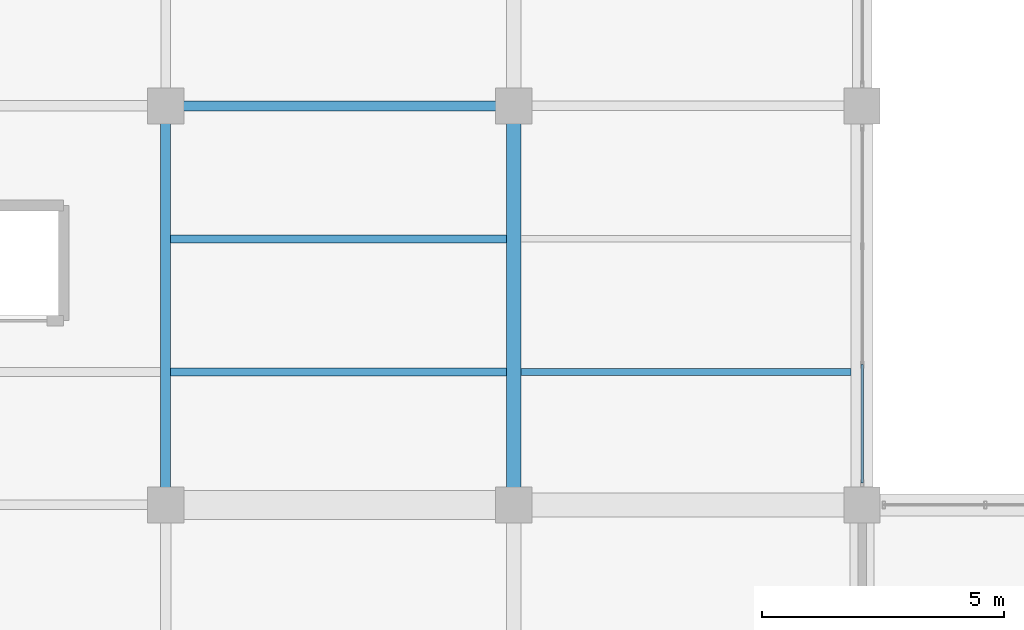
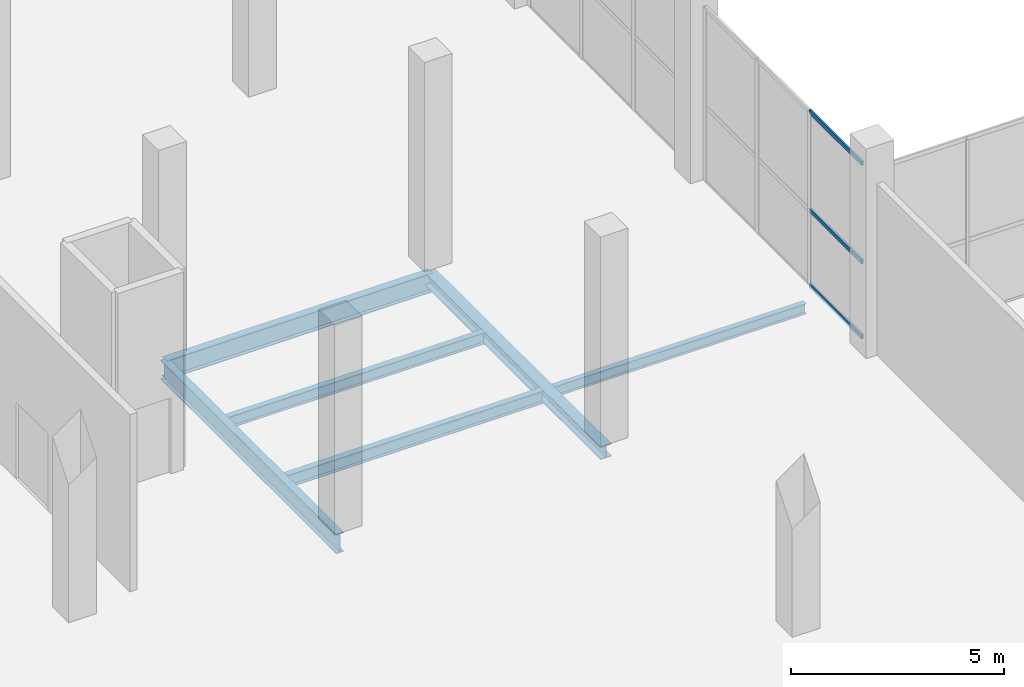
# One storey, part 69 of 144: 6 beams, 3 members, 1 element without a shape of its own.
"""IFC4 building model written with IfcOpenShell, lengths in metres."""

from ifc_helpers import new_model, si_unit, direction, frame, origin, origin_2d, place, context, subcontext, project, spatial, hollow_rectangle, i_section, extrude, material, layer, layer_set, material_profile, profile_set, type_object, element, aggregate, save


model = new_model("IFC4")

# Units and contexts
model_context = context("Model", 3, precision=1e-05, world=origin(), true_north=direction((0.0, 1.0)))
body_context = subcontext(model_context, "Body", "Model", "MODEL_VIEW")
ifc_project = project(units=[si_unit("LENGTHUNIT", "METRE"), si_unit("AREAUNIT", "SQUARE_METRE"), si_unit("VOLUMEUNIT", "CUBIC_METRE"), si_unit("PLANEANGLEUNIT", "RADIAN"), si_unit("MASSUNIT", "GRAM", prefix="KILO")], contexts=[model_context])

# Site, building, storey
site_placement = place(None, origin())
site = spatial("IfcSite", under=ifc_project, at=site_placement, CompositionType="ELEMENT")
building_placement = place(site_placement, origin())
building = spatial("IfcBuilding", under=site, at=building_placement, Name="Sundgate Opera House", CompositionType="ELEMENT")
storey_placement = place(building_placement, origin())
storey = spatial("IfcBuildingStorey", under=building, at=storey_placement, Name="L00", CompositionType="ELEMENT", Elevation=0.0)

# Beams
ifc_material_1 = material(Name="Steel S355J2", Category="steel")
ifc_material_profile_1 = material_profile(ifc_material_1, i_section(OverallWidth=0.300048828125, OverallDepth=0.360107421875, WebThickness=0.012451171875, FlangeThickness=0.0224609375, at=origin_2d()), Name="HEB 360")
ifc_profile_set_1 = profile_set([ifc_material_profile_1], Name="Steel S355J2")
beam_type_1 = type_object("IfcBeamType", Name="BM-GR-HEB360", PredefinedType="BEAM", material=ifc_profile_set_1)
beam_1_placement = place(storey_placement, frame((117.0, 87.0, -0.5), z_axis=(0.0, 1.0, 0.0), x_axis=(-1.0, 0.0, 0.0)))
element("IfcBeam", 1, at=beam_1_placement, inside=storey, type_object=beam_type_1, Name="L00 Primary N-S Girder B0242", PredefinedType="BEAM", context=body_context, shape_type="SweptSolid", body=[
    extrude(i_section(OverallWidth=0.300048828125, OverallDepth=0.360107421875, WebThickness=0.012451171875, FlangeThickness=0.0224609375, at=origin_2d()), origin(), (0.0, 0.0, 1.0), 8.25),
])
ifc_material_2 = material(Name="Steel S355J2", Category="steel")
ifc_material_profile_2 = material_profile(ifc_material_2, i_section(OverallWidth=0.2099609375, OverallDepth=0.550048828125, WebThickness=0.010986328125, FlangeThickness=0.01708984375, at=origin_2d()), Name="IPE 550")
ifc_profile_set_2 = profile_set([ifc_material_profile_2], Name="Steel S355J2")
beam_type_2 = type_object("IfcBeamType", Name="BM-GR-IPE550", PredefinedType="BEAM", material=ifc_profile_set_2)
beam_2_placement = place(storey_placement, frame((109.800048828125, 87.0, -0.594970703125), z_axis=(0.0, 1.0, 0.0), x_axis=(-1.0, 0.0, 0.0)))
element("IfcBeam", 2, at=beam_2_placement, inside=storey, type_object=beam_type_2, Name="L00 Primary N-S Girder B0228", PredefinedType="BEAM", context=body_context, shape_type="SweptSolid", body=[
    extrude(i_section(OverallWidth=0.2099609375, OverallDepth=0.550048828125, WebThickness=0.010986328125, FlangeThickness=0.01708984375, at=origin_2d()), origin(), (0.0, 0.0, 1.0), 8.25),
])
beam_3_placement = place(storey_placement, frame((109.800048828125, 95.25, -0.594970703125), z_axis=(1.0, 0.0, 0.0), x_axis=(0.0, 1.0, 0.0)))
element("IfcBeam", 3, at=beam_3_placement, inside=storey, type_object=beam_type_2, Name="L00 Primary E-W Girder B0535", PredefinedType="BEAM", context=body_context, shape_type="SweptSolid", body=[
    extrude(i_section(OverallWidth=0.2099609375, OverallDepth=0.550048828125, WebThickness=0.010986328125, FlangeThickness=0.01708984375, at=origin_2d()), origin(), (0.0, 0.0, 1.0), 7.199951171875),
])
ifc_material_3 = material(Name="Steel S355J2", Category="steel")
ifc_material_profile_3 = material_profile(ifc_material_3, i_section(OverallWidth=0.14990234375, OverallDepth=0.300048828125, WebThickness=0.007080078125, FlangeThickness=0.0107421875, at=origin_2d()), Name="IPE 300")
ifc_profile_set_3 = profile_set([ifc_material_profile_3], Name="Steel S355J2")
beam_type_3 = type_object("IfcBeamType", Name="BM-JS-IPE300", PredefinedType="JOIST", material=ifc_profile_set_3)
beam_4_placement = place(storey_placement, frame((117.14990234375, 89.75, -0.469970703125), z_axis=(1.0, 0.0, 0.0), x_axis=(0.0, 1.0, 0.0)))
element("IfcBeam", 4, at=beam_4_placement, inside=storey, type_object=beam_type_3, Name="L00 Secondary Floor Joist B0942", PredefinedType="JOIST", context=body_context, shape_type="SweptSolid", body=[
    extrude(i_section(OverallWidth=0.14990234375, OverallDepth=0.300048828125, WebThickness=0.007080078125, FlangeThickness=0.0107421875, at=origin_2d()), origin(), (0.0, 0.0, 1.0), 6.8251953125),
])
ifc_material_4 = material(Name="Steel S355J2", Category="steel")
ifc_material_profile_4 = material_profile(ifc_material_4, i_section(OverallWidth=0.159912109375, OverallDepth=0.330078125, WebThickness=0.007568359375, FlangeThickness=0.011474609375, at=origin_2d()), Name="IPE 330")
ifc_profile_set_4 = profile_set([ifc_material_profile_4], Name="Steel S355J2")
beam_type_4 = type_object("IfcBeamType", Name="BM-JS-IPE330", PredefinedType="JOIST", material=ifc_profile_set_4)
beam_5_placement = place(storey_placement, frame((109.905029296875, 92.5, -0.485107421875), z_axis=(1.0, 0.0, 0.0), x_axis=(0.0, 1.0, 0.0)))
element("IfcBeam", 5, at=beam_5_placement, inside=storey, type_object=beam_type_4, Name="L00 Secondary Floor Joist B0941", PredefinedType="JOIST", context=body_context, shape_type="SweptSolid", body=[
    extrude(i_section(OverallWidth=0.159912109375, OverallDepth=0.330078125, WebThickness=0.007568359375, FlangeThickness=0.011474609375, at=origin_2d()), origin(), (0.0, 0.0, 1.0), 6.945068359375),
])
ifc_material_5 = material(Name="Steel S355J2", Category="steel")
ifc_material_profile_5 = material_profile(ifc_material_5, i_section(OverallWidth=0.169921875, OverallDepth=0.360107421875, WebThickness=0.008056640625, FlangeThickness=0.0126953125, at=origin_2d()), Name="IPE 360")
ifc_profile_set_5 = profile_set([ifc_material_profile_5], Name="Steel S355J2")
beam_type_5 = type_object("IfcBeamType", Name="BM-JS-IPE360", PredefinedType="JOIST", material=ifc_profile_set_5)
beam_6_placement = place(storey_placement, frame((109.905029296875, 89.75, -0.5), z_axis=(1.0, 0.0, 0.0), x_axis=(0.0, 1.0, 0.0)))
element("IfcBeam", 6, at=beam_6_placement, inside=storey, type_object=beam_type_5, Name="L00 Secondary Floor Joist B0940", PredefinedType="JOIST", context=body_context, shape_type="SweptSolid", body=[
    extrude(i_section(OverallWidth=0.169921875, OverallDepth=0.360107421875, WebThickness=0.008056640625, FlangeThickness=0.0126953125, at=origin_2d()), origin(), (0.0, 0.0, 1.0), 6.945068359375),
])

# Curtain wall, members
ifc_material_6 = material(Name="Anodized aluminium and low-iron glass", Category="aluminium")
ifc_layer = layer(ifc_material_6, 0.159912109375)
ifc_layer_set = layer_set([ifc_layer], Name="Anodized aluminium and low-iron glass")
curtain_wall_type = type_object("IfcCurtainWallType", Name="CW-STUDIO-DARK", PredefinedType="NOTDEFINED", material=ifc_layer_set)
curtain_wall_placement = place(storey_placement, origin())
curtain_wall = element("IfcCurtainWall", 7, at=curtain_wall_placement, inside=storey, type_object=curtain_wall_type, Name="L00 Curtain Wall CW088", PredefinedType="NOTDEFINED")
ifc_material_7 = material(Name="Anodized aluminium EN AW-6063", Category="aluminium")
ifc_material_profile_6 = material_profile(ifc_material_7, hollow_rectangle(XDim=0.054931640625, YDim=0.1201171875, WallThickness=0.00390625, at=origin_2d()), Name="CWT 120x55x4")
ifc_profile_set_6 = profile_set([ifc_material_profile_6], Name="Anodized aluminium EN AW-6063")
member_type = type_object("IfcMemberType", Name="CWT-ALU-120x55", PredefinedType="USERDEFINED", material=ifc_profile_set_6)
member_1_placement = place(storey_placement, frame((124.199951171875, 87.449951171875, 0.0), z_axis=(0.0, 1.0, 0.0), x_axis=(-1.0, 0.0, 0.0)))
member_1 = element("IfcMember", 8, at=member_1_placement, type_object=member_type, Name="CW088 Transom 1", ObjectType="TRANSOM", PredefinedType="USERDEFINED", context=body_context, shape_type="SweptSolid", body=[
    extrude(hollow_rectangle(XDim=0.054931640625, YDim=0.1201171875, WallThickness=0.00390625, at=origin_2d()), origin(), (0.0, 0.0, 1.0), 2.449951171875),
])
member_2_placement = place(storey_placement, frame((124.199951171875, 87.449951171875, 2.14990234375), z_axis=(0.0, 1.0, 0.0), x_axis=(-1.0, 0.0, 0.0)))
member_2 = element("IfcMember", 9, at=member_2_placement, type_object=member_type, Name="CW088 Transom 2", ObjectType="TRANSOM", PredefinedType="USERDEFINED", context=body_context, shape_type="SweptSolid", body=[
    extrude(hollow_rectangle(XDim=0.054931640625, YDim=0.1201171875, WallThickness=0.00390625, at=origin_2d()), origin(), (0.0, 0.0, 1.0), 2.449951171875),
])
member_3_placement = place(storey_placement, frame((124.199951171875, 87.449951171875, 4.965087890625), z_axis=(0.0, 1.0, 0.0), x_axis=(-1.0, 0.0, 0.0)))
member_3 = element("IfcMember", 10, at=member_3_placement, type_object=member_type, Name="CW088 Transom 3", ObjectType="TRANSOM", PredefinedType="USERDEFINED", context=body_context, shape_type="SweptSolid", body=[
    extrude(hollow_rectangle(XDim=0.054931640625, YDim=0.1201171875, WallThickness=0.00390625, at=origin_2d()), origin(), (0.0, 0.0, 1.0), 2.449951171875),
])
aggregate(curtain_wall, [member_1, member_2, member_3])

save(model, "model.ifc")
